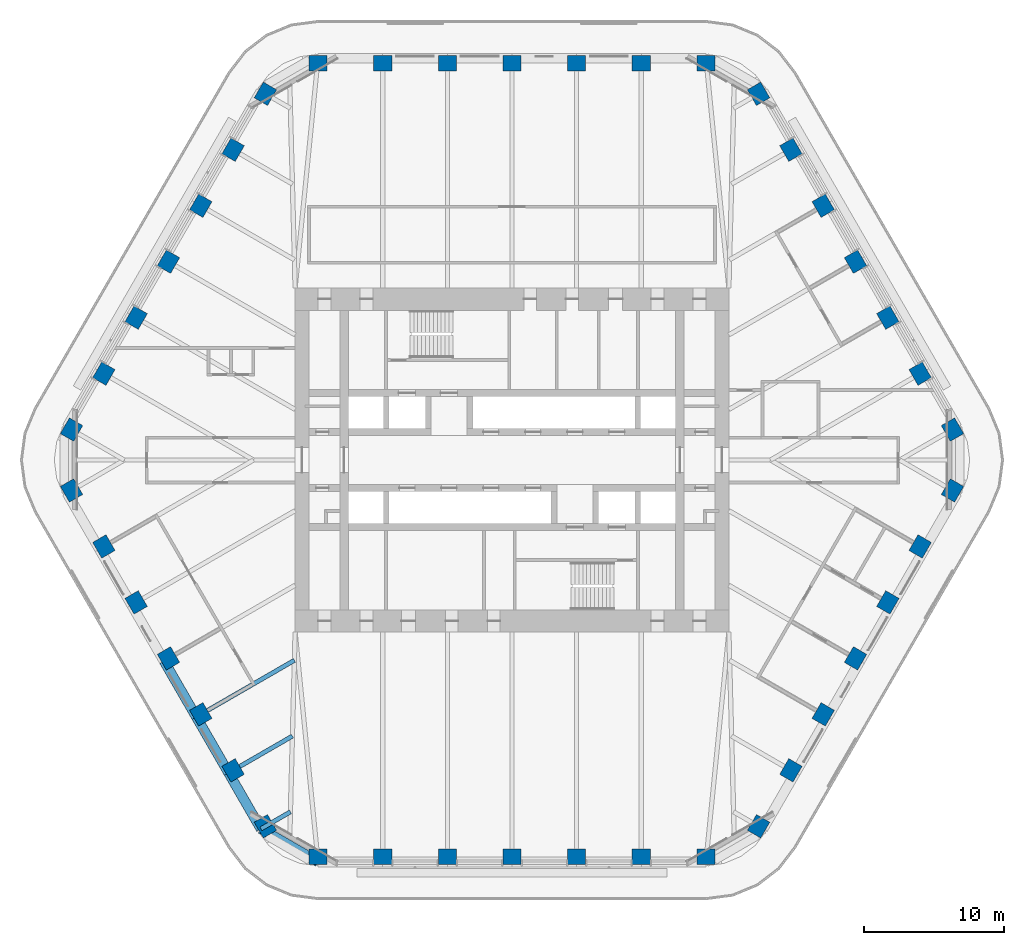
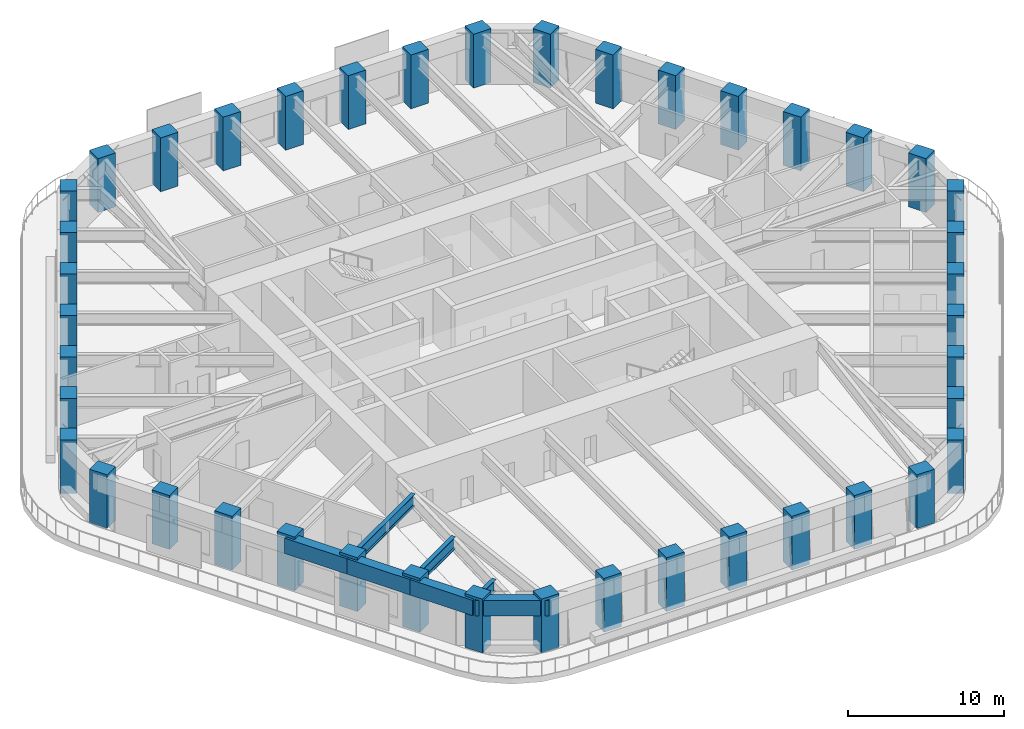
# One storey, part 1 of 20: 42 columns, 7 beams.
"""IFC4 building model written with IfcOpenShell, lengths in metres."""

from ifc_helpers import new_model, si_unit, direction, frame, origin, origin_2d, place, context, subcontext, project, spatial, rectangle, i_section, extrude, material, material_profile, profile_set, type_object, element, save


model = new_model("IFC4")

# Units and contexts
model_context = context("Model", 3, precision=1e-05, world=origin(), true_north=direction((0.0, 1.0)))
body_context = subcontext(model_context, "Body", "Model", "MODEL_VIEW")
ifc_project = project(units=[si_unit("LENGTHUNIT", "METRE"), si_unit("AREAUNIT", "SQUARE_METRE"), si_unit("VOLUMEUNIT", "CUBIC_METRE"), si_unit("PLANEANGLEUNIT", "RADIAN"), si_unit("MASSUNIT", "GRAM", prefix="KILO")], contexts=[model_context])

# Site, building, storey
site_placement = place(None, origin())
site = spatial("IfcSite", under=ifc_project, at=site_placement, CompositionType="ELEMENT")
building_placement = place(site_placement, origin())
building = spatial("IfcBuilding", under=site, at=building_placement, Name="Tarfa Lantern Tower", CompositionType="ELEMENT")
storey_placement = place(building_placement, frame((0.0, 0.0, 253.300048828125)))
storey = spatial("IfcBuildingStorey", under=building, at=storey_placement, Name="L57", CompositionType="ELEMENT", Elevation=253.300048828125)

# Columns
ifc_material_1 = material(Name="Concrete C80/95", Category="concrete")
ifc_material_profile_1 = material_profile(ifc_material_1, rectangle(XDim=1.300048828125, YDim=1.10009765625, at=origin_2d()), Name="RC 1300x1100")
ifc_profile_set_1 = profile_set([ifc_material_profile_1], Name="Concrete C80/95")
column_type = type_object("IfcColumnType", Name="TC10 RC 1300x1100", PredefinedType="COLUMN", material=ifc_profile_set_1)
for number, where, z_axis, x_axis, name in (
    (1, (31.47998046875, 2.175048828125, 0.0), (0.0, 0.0, 1.0), (-0.5, 0.866025403784, 0.0), "Tube column NE0"),
    (2, (29.170654296875, 6.175048828125, 0.0), (0.0, 0.0, 1.0), (-0.5, 0.866025403784, 0.0), "Tube column NE1"),
    (3, (26.861328125, 10.175048828125, 0.0), (0.0, 0.0, 1.0), (-0.5, 0.866025403784, 0.0), "Tube column NE2"),
    (4, (24.5517578125, 14.175048828125, 0.0), (0.0, 0.0, 1.0), (-0.5, 0.866025403784, 0.0), "Tube column NE3"),
    (5, (22.242431640625, 18.175048828125, 0.0), (0.0, 0.0, 1.0), (-0.5, 0.866025403784, 0.0), "Tube column NE4"),
    (6, (19.93310546875, 22.175048828125, 0.0), (0.0, 0.0, 1.0), (-0.5, 0.866025403784, 0.0), "Tube column NE5"),
    (7, (17.62353515625, 26.175048828125, 0.0), (0.0, 0.0, 1.0), (-0.5, 0.866025403784, 0.0), "Tube column NE6"),
    (8, (13.8564453125, 28.35009765625, 0.0), (0.0, 0.0, 1.0), (-1.0, 0.0, 0.0), "Tube column N0"),
    (9, (9.237548828125, 28.35009765625, 0.0), (0.0, 0.0, 1.0), (-1.0, 0.0, 0.0), "Tube column N1"),
    (10, (4.618896484375, 28.35009765625, 0.0), (0.0, 0.0, 1.0), (-1.0, 0.0, 0.0), "Tube column N2"),
    (11, (0.0, 28.35009765625, 0.0), (0.0, 0.0, 1.0), (-1.0, 0.0, 0.0), "Tube column N3"),
    (12, (-4.618896484375, 28.35009765625, 0.0), (0.0, 0.0, 1.0), (-1.0, 0.0, 0.0), "Tube column N4"),
    (13, (-9.237548828125, 28.35009765625, 0.0), (0.0, 0.0, 1.0), (-1.0, 0.0, 0.0), "Tube column N5"),
    (14, (-13.8564453125, 28.35009765625, 0.0), (0.0, 0.0, 1.0), (-1.0, 0.0, 0.0), "Tube column N6"),
    (15, (-17.62353515625, 26.175048828125, 0.0), (0.0, 0.0, 1.0), (-0.5, -0.866025403784, 0.0), "Tube column NW0"),
    (16, (-19.93310546875, 22.175048828125, 0.0), (0.0, 0.0, 1.0), (-0.5, -0.866025403784, 0.0), "Tube column NW1"),
    (17, (-22.242431640625, 18.175048828125, 0.0), (0.0, 0.0, 1.0), (-0.5, -0.866025403784, 0.0), "Tube column NW2"),
    (18, (-24.5517578125, 14.175048828125, 0.0), (0.0, 0.0, 1.0), (-0.5, -0.866025403784, 0.0), "Tube column NW3"),
    (19, (-26.861328125, 10.175048828125, 0.0), (0.0, 0.0, 1.0), (-0.5, -0.866025403784, 0.0), "Tube column NW4"),
    (20, (-29.170654296875, 6.175048828125, 0.0), (0.0, 0.0, 1.0), (-0.5, -0.866025403784, 0.0), "Tube column NW5"),
    (21, (-31.47998046875, 2.175048828125, 0.0), (0.0, 0.0, 1.0), (-0.5, -0.866025403784, 0.0), "Tube column NW6"),
    (22, (-31.47998046875, -2.175048828125, 0.0), (0.0, 0.0, 1.0), (0.5, -0.866025403784, 0.0), "Tube column SW0"),
    (23, (-29.170654296875, -6.175048828125, 0.0), (0.0, 0.0, 1.0), (0.5, -0.866025403784, 0.0), "Tube column SW1"),
    (24, (-26.861328125, -10.175048828125, 0.0), (0.0, 0.0, 1.0), (0.5, -0.866025403784, 0.0), "Tube column SW2"),
    (25, (-24.5517578125, -14.175048828125, 0.0), (0.0, 0.0, 1.0), (0.5, -0.866025403784, 0.0), "Tube column SW3"),
    (26, (-22.242431640625, -18.175048828125, 0.0), (0.0, 0.0, 1.0), (0.5, -0.866025403784, 0.0), "Tube column SW4"),
    (27, (-19.93310546875, -22.175048828125, 0.0), (0.0, 0.0, 1.0), (0.5, -0.866025403784, 0.0), "Tube column SW5"),
    (28, (-17.62353515625, -26.175048828125, 0.0), (0.0, 0.0, 1.0), (0.5, -0.866025403784, 0.0), "Tube column SW6"),
    (29, (-13.8564453125, -28.35009765625, 0.0), (0.0, 0.0, 1.0), (1.0, 0.0, 0.0), "Tube column S0"),
    (30, (-9.237548828125, -28.35009765625, 0.0), (0.0, 0.0, 1.0), (1.0, 0.0, 0.0), "Tube column S1"),
    (31, (-4.618896484375, -28.35009765625, 0.0), (0.0, 0.0, 1.0), (1.0, 0.0, 0.0), "Tube column S2"),
    (32, (0.0, -28.35009765625, 0.0), (0.0, 0.0, 1.0), (1.0, 0.0, 0.0), "Tube column S3"),
    (33, (4.618896484375, -28.35009765625, 0.0), (0.0, 0.0, 1.0), (1.0, 0.0, 0.0), "Tube column S4"),
    (34, (9.237548828125, -28.35009765625, 0.0), (0.0, 0.0, 1.0), (1.0, 0.0, 0.0), "Tube column S5"),
    (35, (13.8564453125, -28.35009765625, 0.0), (0.0, 0.0, 1.0), (1.0, 0.0, 0.0), "Tube column S6"),
    (36, (17.62353515625, -26.175048828125, 0.0), (0.0, 0.0, 1.0), (0.5, 0.866025403784, 0.0), "Tube column SE0"),
    (37, (19.93310546875, -22.175048828125, 0.0), (0.0, 0.0, 1.0), (0.5, 0.866025403784, 0.0), "Tube column SE1"),
    (38, (22.242431640625, -18.175048828125, 0.0), (0.0, 0.0, 1.0), (0.5, 0.866025403784, 0.0), "Tube column SE2"),
    (39, (24.5517578125, -14.175048828125, 0.0), (0.0, 0.0, 1.0), (0.5, 0.866025403784, 0.0), "Tube column SE3"),
    (40, (26.861328125, -10.175048828125, 0.0), (0.0, 0.0, 1.0), (0.5, 0.866025403784, 0.0), "Tube column SE4"),
    (41, (29.170654296875, -6.175048828125, 0.0), (0.0, 0.0, 1.0), (0.5, 0.866025403784, 0.0), "Tube column SE5"),
    (42, (31.47998046875, -2.175048828125, 0.0), (0.0, 0.0, 1.0), (0.5, 0.866025403784, 0.0), "Tube column SE6"),
):
    element("IfcColumn", number, at=place(storey_placement, frame(where, z_axis=z_axis, x_axis=x_axis)), inside=storey, type_object=column_type, Name=name, PredefinedType="COLUMN", context=body_context, shape_type="SweptSolid", body=[
        extrude(rectangle(XDim=1.300048828125, YDim=1.10009765625, at=origin_2d()), origin(), (0.0, 0.0, 1.0), 4.199951171875),
    ])

# Beams
ifc_material_profile_2 = material_profile(ifc_material_1, rectangle(XDim=0.699951171875, YDim=1.199951171875, at=origin_2d()), Name="RC 700x1200")
ifc_profile_set_2 = profile_set([ifc_material_profile_2], Name="Concrete C80/95")
beam_type_1 = type_object("IfcBeamType", Name="EB3 RC 700x1200", PredefinedType="SPANDREL", material=ifc_profile_set_2)
beam_1_placement = place(storey_placement, frame((-24.872314453125, -14.360107421875, 3.39990234375), z_axis=(0.500027479704, -0.866009537788, 0.0), x_axis=(0.866009537788, 0.500027479704, 0.0)))
element("IfcBeam", 43, at=beam_1_placement, inside=storey, type_object=beam_type_1, Name="Edge beam SW3", PredefinedType="SPANDREL", context=body_context, shape_type="SweptSolid", body=[
    extrude(rectangle(XDim=0.699951171875, YDim=1.199951171875, at=origin_2d()), origin(), (0.0, 0.0, 1.0), 4.618896484375),
])
for number, where, z_axis, x_axis, name in (
    (44, (-22.562744140625, -18.360107421875, 3.39990234375), (0.499987836815, -0.866032426089, 0.0), (0.866032426089, 0.499987836815, 0.0), "Edge beam SW4"),
    (45, (-20.25341796875, -22.360107421875, 3.39990234375), (0.499987836815, -0.866032426089, 0.0), (0.866032426089, 0.499987836815, 0.0), "Edge beam SW5"),
):
    element("IfcBeam", number, at=place(storey_placement, frame(where, z_axis=z_axis, x_axis=x_axis)), inside=storey, type_object=beam_type_1, Name=name, PredefinedType="SPANDREL", context=body_context, shape_type="SweptSolid", body=[
        extrude(rectangle(XDim=0.699951171875, YDim=1.199951171875, at=origin_2d()), origin(), (0.0, 0.0, 1.0), 4.61865234375),
    ])
beam_2_placement = place(storey_placement, frame((-17.944091796875, -26.360107421875, 3.39990234375), z_axis=(0.866038294681, -0.499977671647, 0.0), x_axis=(0.499977671647, 0.866038294681, 0.0)))
element("IfcBeam", 46, at=beam_2_placement, inside=storey, type_object=beam_type_1, Name="Edge beam SW6", PredefinedType="SPANDREL", context=body_context, shape_type="SweptSolid", body=[
    extrude(rectangle(XDim=0.699951171875, YDim=1.199951171875, at=origin_2d()), origin(), (0.0, 0.0, 1.0), 4.719970703125),
])
ifc_material_2 = material(Name="Steel S460M", Category="steel")
ifc_material_profile_3 = material_profile(ifc_material_2, i_section(OverallWidth=0.305419921875, OverallDepth=0.91845703125, WebThickness=0.017333984375, FlangeThickness=0.02783203125, FilletRadius=0.01904296875, at=origin_2d()), Name="UB914x305x253")
ifc_profile_set_3 = profile_set([ifc_material_profile_3], Name="Steel S460M")
beam_type_2 = type_object("IfcBeamType", Name="UB914x305x253", PredefinedType="BEAM", material=ifc_profile_set_3)
beam_3_placement = place(storey_placement, frame((-22.562744140625, -18.360107421875, 3.540771484375), z_axis=(0.866010787764, 0.500025314835, 0.0), x_axis=(-0.500025314835, 0.866010787764, 0.0)))
element("IfcBeam", 47, at=beam_3_placement, inside=storey, type_object=beam_type_2, Name="Floor beam SW4", PredefinedType="BEAM", context=body_context, shape_type="SweptSolid", body=[
    extrude(i_section(OverallWidth=0.305419921875, OverallDepth=0.91845703125, WebThickness=0.017333984375, FlangeThickness=0.02783203125, FilletRadius=0.01904296875, at=origin_2d()), origin(), (0.0, 0.0, 1.0), 8.09423828125),
])
beam_4_placement = place(storey_placement, frame((-20.25341796875, -22.360107421875, 3.540771484375), z_axis=(0.86601951648, 0.500010196972, 0.0), x_axis=(-0.500010196972, 0.86601951648, 0.0)))
element("IfcBeam", 48, at=beam_4_placement, inside=storey, type_object=beam_type_2, Name="Floor beam SW5", PredefinedType="BEAM", context=body_context, shape_type="SweptSolid", body=[
    extrude(i_section(OverallWidth=0.305419921875, OverallDepth=0.91845703125, WebThickness=0.017333984375, FlangeThickness=0.02783203125, FilletRadius=0.01904296875, at=origin_2d()), origin(), (0.0, 0.0, 1.0), 5.263671875),
])
beam_5_placement = place(storey_placement, frame((-17.944091796875, -26.360107421875, 3.540771484375), z_axis=(0.865980009423, 0.5000786171, 0.0), x_axis=(-0.5000786171, 0.865980009423, 0.0)))
element("IfcBeam", 49, at=beam_5_placement, inside=storey, type_object=beam_type_2, Name="Floor beam SW6", PredefinedType="BEAM", context=body_context, shape_type="SweptSolid", body=[
    extrude(i_section(OverallWidth=0.305419921875, OverallDepth=0.91845703125, WebThickness=0.017333984375, FlangeThickness=0.02783203125, FilletRadius=0.01904296875, at=origin_2d()), origin(), (0.0, 0.0, 1.0), 2.4326171875),
])

save(model, "model.ifc")
